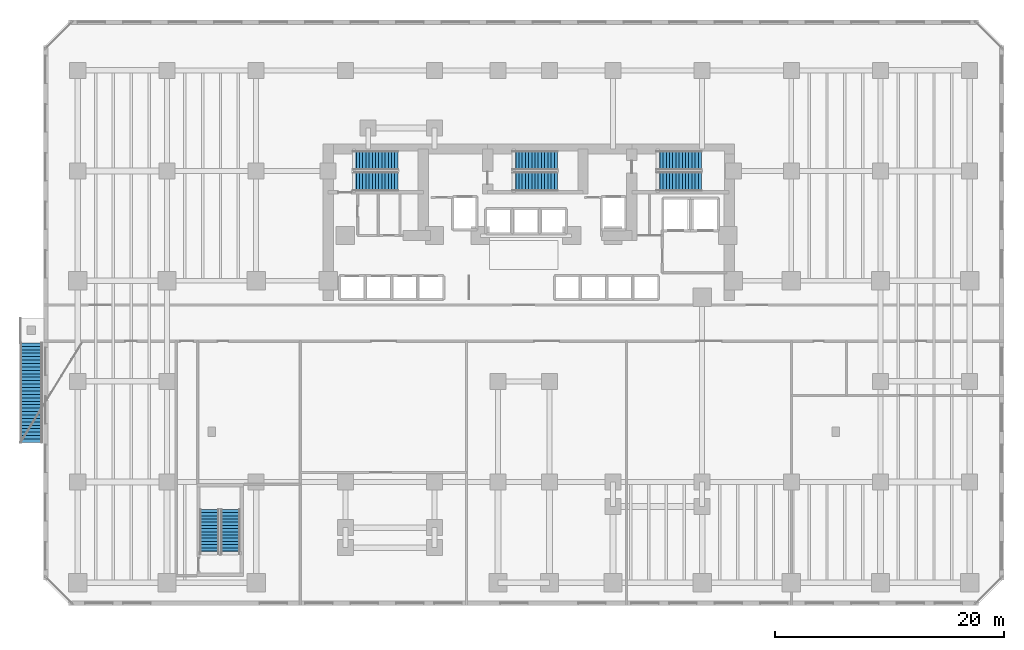
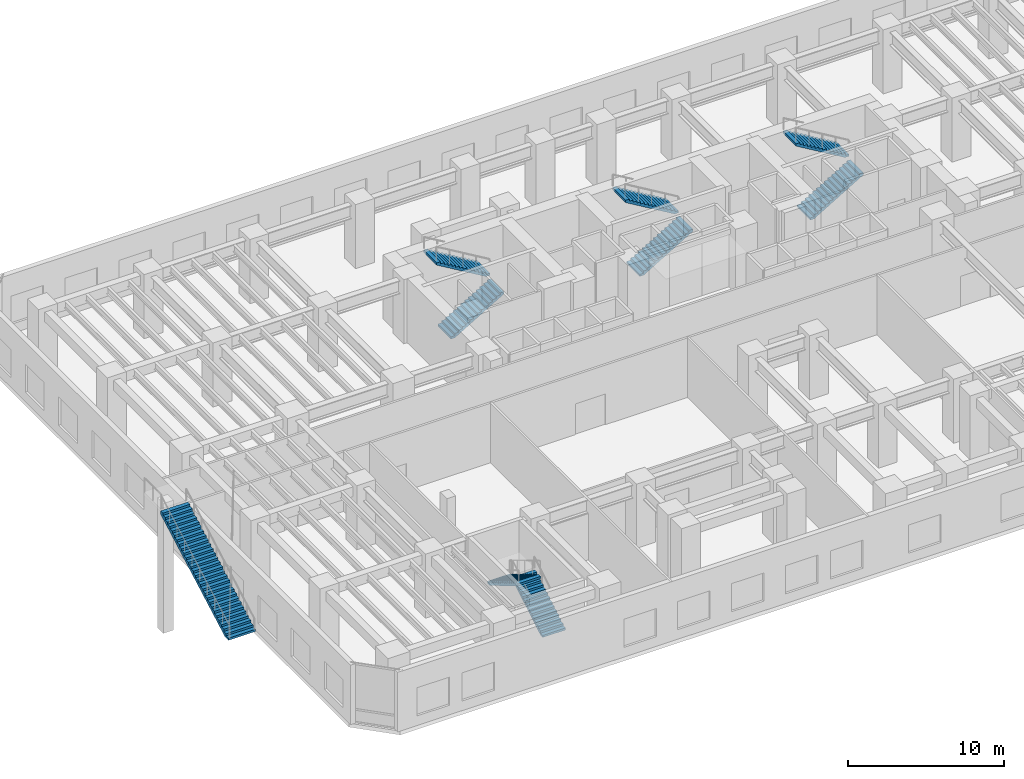
# One storey, part 17 of 19: 9 stair flights, 5 elements without a shape of their own.
"""IFC4 building model written with IfcOpenShell, lengths in metres."""

from ifc_helpers import new_model, si_unit, direction, frame, origin, place, context, subcontext, project, spatial, polyline, outline, extrude, material, type_object, element, aggregate, save


model = new_model("IFC4")

# Units and contexts
model_context = context("Model", 3, precision=1e-05, world=origin(), true_north=direction((0.0, 1.0)))
body_context = subcontext(model_context, "Body", "Model", "MODEL_VIEW")
ifc_project = project(units=[si_unit("LENGTHUNIT", "METRE"), si_unit("AREAUNIT", "SQUARE_METRE"), si_unit("VOLUMEUNIT", "CUBIC_METRE"), si_unit("PLANEANGLEUNIT", "RADIAN"), si_unit("MASSUNIT", "GRAM", prefix="KILO")], contexts=[model_context])

# Site, building, storey
site_placement = place(None, origin())
site = spatial("IfcSite", under=ifc_project, at=site_placement, CompositionType="ELEMENT")
building_placement = place(site_placement, origin())
building = spatial("IfcBuilding", under=site, at=building_placement, Name="Kestravale Grand Hotel", CompositionType="ELEMENT")
storey_placement = place(building_placement, frame((0.0, 0.0, 5.39990234375)))
storey = spatial("IfcBuildingStorey", under=building, at=storey_placement, Name="L01", CompositionType="ELEMENT", Elevation=5.39990234375)

# Stair, stair flights
ifc_material_1 = material(Name="Concrete f'c 45 MPa", Category="concrete")
stair_type_1 = type_object("IfcStairType", Name="ST-CORE-500", PredefinedType="HALF_TURN_STAIR", material=ifc_material_1)
stair_1_placement = place(storey_placement, origin())
stair_1 = element("IfcStair", 1, at=stair_1_placement, inside=storey, type_object=stair_type_1, Name="L01 ST-1", PredefinedType="HALF_TURN_STAIR")
ifc_material_2 = material(Name="Concrete f'c 45 MPa", Category="concrete")
stair_flight_type_1 = type_object("IfcStairFlightType", Name="STF-CORE-500", PredefinedType="STRAIGHT", material=ifc_material_2)
stair_flight_1_placement = place(storey_placement, frame((24.080078125, 37.489990234375, 0.0), z_axis=(0.0, 0.0, 1.0), x_axis=(1.0, 0.0, 0.0)))
stair_flight_1 = element("IfcStairFlight", 2, at=stair_flight_1_placement, type_object=stair_flight_type_1, Name="ST-1 flight 1", NumberOfRisers=15, NumberOfTreads=14, PredefinedType="STRAIGHT", RiserHeight=0.166666667, TreadLength=0.28, context=body_context, shape_type="SweptSolid", body=[
    extrude(outline(polyline([(0.0, 0.0), (0.0, 0.166748046875), (0.280029296875, 0.166748046875), (0.280029296875, 0.333251953125), (0.56005859375, 0.333251953125), (0.56005859375, 0.5), (0.840087890625, 0.5), (0.840087890625, 0.666748046875), (1.1201171875, 0.666748046875), (1.1201171875, 0.833251953125), (1.39990234375, 0.833251953125), (1.39990234375, 1.0), (1.679931640625, 1.0), (1.679931640625, 1.166748046875), (1.9599609375, 1.166748046875), (1.9599609375, 1.333251953125), (2.239990234375, 1.333251953125), (2.239990234375, 1.5), (2.52001953125, 1.5), (2.52001953125, 1.666748046875), (2.800048828125, 1.666748046875), (2.800048828125, 1.833251953125), (3.080078125, 1.833251953125), (3.080078125, 2.0), (3.360107421875, 2.0), (3.360107421875, 2.166748046875), (3.639892578125, 2.166748046875), (3.639892578125, 2.333251953125), (3.919921875, 2.333251953125), (3.919921875, 2.5), (3.919921875, 2.158935546875), (0.29296875, 0.0), (0.0, 0.0)])), frame((0.0, 0.83984375, 0.0), z_axis=(0.0, -1.0, 0.0), x_axis=(1.0, 0.0, 0.0)), (0.0, 0.0, 1.0), 1.679931640625),
])
stair_flight_2_placement = place(storey_placement, frame((28.0, 39.320068359375, 2.5), z_axis=(0.0, 0.0, 1.0), x_axis=(-1.0, 0.0, 0.0)))
stair_flight_2 = element("IfcStairFlight", 3, at=stair_flight_2_placement, type_object=stair_flight_type_1, Name="ST-1 flight 2", NumberOfRisers=15, NumberOfTreads=14, PredefinedType="STRAIGHT", RiserHeight=0.166666667, TreadLength=0.28, context=body_context, shape_type="SweptSolid", body=[
    extrude(outline(polyline([(0.0, 0.0), (0.0, 0.166748046875), (0.280029296875, 0.166748046875), (0.280029296875, 0.333251953125), (0.56005859375, 0.333251953125), (0.56005859375, 0.5), (0.840087890625, 0.5), (0.840087890625, 0.666748046875), (1.1201171875, 0.666748046875), (1.1201171875, 0.833251953125), (1.39990234375, 0.833251953125), (1.39990234375, 1.0), (1.679931640625, 1.0), (1.679931640625, 1.166748046875), (1.9599609375, 1.166748046875), (1.9599609375, 1.333251953125), (2.239990234375, 1.333251953125), (2.239990234375, 1.5), (2.52001953125, 1.5), (2.52001953125, 1.666748046875), (2.800048828125, 1.666748046875), (2.800048828125, 1.833251953125), (3.080078125, 1.833251953125), (3.080078125, 2.0), (3.360107421875, 2.0), (3.360107421875, 2.166748046875), (3.639892578125, 2.166748046875), (3.639892578125, 2.333251953125), (3.919921875, 2.333251953125), (3.919921875, 2.5), (3.919921875, 2.158935546875), (0.29296875, 0.0), (0.0, 0.0)])), frame((0.0, 0.83984375, 0.0), z_axis=(0.0, -1.0, 0.0), x_axis=(1.0, 0.0, 0.0)), (0.0, 0.0, 1.0), 1.679931640625),
])
aggregate(stair_1, [stair_flight_1, stair_flight_2])

stair_2_placement = place(storey_placement, origin())
stair_2 = element("IfcStair", 4, at=stair_2_placement, inside=storey, type_object=stair_type_1, Name="L01 ST-2", PredefinedType="HALF_TURN_STAIR")
stair_flight_3_placement = place(storey_placement, frame((38.030029296875, 37.489990234375, 0.0), z_axis=(0.0, 0.0, 1.0), x_axis=(1.0, 0.0, 0.0)))
stair_flight_3 = element("IfcStairFlight", 5, at=stair_flight_3_placement, type_object=stair_flight_type_1, Name="ST-2 flight 1", NumberOfRisers=15, NumberOfTreads=14, PredefinedType="STRAIGHT", RiserHeight=0.166666667, TreadLength=0.28, context=body_context, shape_type="SweptSolid", body=[
    extrude(outline(polyline([(0.0, 0.0), (0.0, 0.166748046875), (0.280029296875, 0.166748046875), (0.280029296875, 0.333251953125), (0.56005859375, 0.333251953125), (0.56005859375, 0.5), (0.840087890625, 0.5), (0.840087890625, 0.666748046875), (1.1201171875, 0.666748046875), (1.1201171875, 0.833251953125), (1.39990234375, 0.833251953125), (1.39990234375, 1.0), (1.679931640625, 1.0), (1.679931640625, 1.166748046875), (1.9599609375, 1.166748046875), (1.9599609375, 1.333251953125), (2.239990234375, 1.333251953125), (2.239990234375, 1.5), (2.52001953125, 1.5), (2.52001953125, 1.666748046875), (2.800048828125, 1.666748046875), (2.800048828125, 1.833251953125), (3.080078125, 1.833251953125), (3.080078125, 2.0), (3.360107421875, 2.0), (3.360107421875, 2.166748046875), (3.639892578125, 2.166748046875), (3.639892578125, 2.333251953125), (3.919921875, 2.333251953125), (3.919921875, 2.5), (3.919921875, 2.158935546875), (0.29296875, 0.0), (0.0, 0.0)])), frame((0.0, 0.83984375, 0.0), z_axis=(0.0, -1.0, 0.0), x_axis=(1.0, 0.0, 0.0)), (0.0, 0.0, 1.0), 1.679931640625),
])
stair_flight_4_placement = place(storey_placement, frame((41.949951171875, 39.320068359375, 2.5), z_axis=(0.0, 0.0, 1.0), x_axis=(-1.0, 0.0, 0.0)))
stair_flight_4 = element("IfcStairFlight", 6, at=stair_flight_4_placement, type_object=stair_flight_type_1, Name="ST-2 flight 2", NumberOfRisers=15, NumberOfTreads=14, PredefinedType="STRAIGHT", RiserHeight=0.166666667, TreadLength=0.28, context=body_context, shape_type="SweptSolid", body=[
    extrude(outline(polyline([(0.0, 0.0), (0.0, 0.166748046875), (0.280029296875, 0.166748046875), (0.280029296875, 0.333251953125), (0.56005859375, 0.333251953125), (0.56005859375, 0.5), (0.840087890625, 0.5), (0.840087890625, 0.666748046875), (1.1201171875, 0.666748046875), (1.1201171875, 0.833251953125), (1.39990234375, 0.833251953125), (1.39990234375, 1.0), (1.679931640625, 1.0), (1.679931640625, 1.166748046875), (1.9599609375, 1.166748046875), (1.9599609375, 1.333251953125), (2.239990234375, 1.333251953125), (2.239990234375, 1.5), (2.52001953125, 1.5), (2.52001953125, 1.666748046875), (2.800048828125, 1.666748046875), (2.800048828125, 1.833251953125), (3.080078125, 1.833251953125), (3.080078125, 2.0), (3.360107421875, 2.0), (3.360107421875, 2.166748046875), (3.639892578125, 2.166748046875), (3.639892578125, 2.333251953125), (3.919921875, 2.333251953125), (3.919921875, 2.5), (3.919921875, 2.158935546875), (0.29296875, 0.0), (0.0, 0.0)])), frame((0.0, 0.83984375, 0.0), z_axis=(0.0, -1.0, 0.0), x_axis=(1.0, 0.0, 0.0)), (0.0, 0.0, 1.0), 1.679931640625),
])
aggregate(stair_2, [stair_flight_3, stair_flight_4])

stair_3_placement = place(storey_placement, origin())
stair_3 = element("IfcStair", 7, at=stair_3_placement, inside=storey, type_object=stair_type_1, Name="L01 ST-3", PredefinedType="HALF_TURN_STAIR")
stair_flight_5_placement = place(storey_placement, frame((50.6298828125, 37.489990234375, 0.0), z_axis=(0.0, 0.0, 1.0), x_axis=(1.0, 0.0, 0.0)))
stair_flight_5 = element("IfcStairFlight", 8, at=stair_flight_5_placement, type_object=stair_flight_type_1, Name="ST-3 flight 1", NumberOfRisers=15, NumberOfTreads=14, PredefinedType="STRAIGHT", RiserHeight=0.166666667, TreadLength=0.28, context=body_context, shape_type="SweptSolid", body=[
    extrude(outline(polyline([(0.0, 0.0), (0.0, 0.166748046875), (0.280029296875, 0.166748046875), (0.280029296875, 0.333251953125), (0.56005859375, 0.333251953125), (0.56005859375, 0.5), (0.840087890625, 0.5), (0.840087890625, 0.666748046875), (1.1201171875, 0.666748046875), (1.1201171875, 0.833251953125), (1.39990234375, 0.833251953125), (1.39990234375, 1.0), (1.679931640625, 1.0), (1.679931640625, 1.166748046875), (1.9599609375, 1.166748046875), (1.9599609375, 1.333251953125), (2.239990234375, 1.333251953125), (2.239990234375, 1.5), (2.52001953125, 1.5), (2.52001953125, 1.666748046875), (2.800048828125, 1.666748046875), (2.800048828125, 1.833251953125), (3.080078125, 1.833251953125), (3.080078125, 2.0), (3.360107421875, 2.0), (3.360107421875, 2.166748046875), (3.639892578125, 2.166748046875), (3.639892578125, 2.333251953125), (3.919921875, 2.333251953125), (3.919921875, 2.5), (3.919921875, 2.158935546875), (0.29296875, 0.0), (0.0, 0.0)])), frame((0.0, 0.83984375, 0.0), z_axis=(0.0, -1.0, 0.0), x_axis=(1.0, 0.0, 0.0)), (0.0, 0.0, 1.0), 1.679931640625),
])
stair_flight_6_placement = place(storey_placement, frame((54.550048828125, 39.320068359375, 2.5), z_axis=(0.0, 0.0, 1.0), x_axis=(-1.0, 0.0, 0.0)))
stair_flight_6 = element("IfcStairFlight", 9, at=stair_flight_6_placement, type_object=stair_flight_type_1, Name="ST-3 flight 2", NumberOfRisers=15, NumberOfTreads=14, PredefinedType="STRAIGHT", RiserHeight=0.166666667, TreadLength=0.28, context=body_context, shape_type="SweptSolid", body=[
    extrude(outline(polyline([(0.0, 0.0), (0.0, 0.166748046875), (0.280029296875, 0.166748046875), (0.280029296875, 0.333251953125), (0.56005859375, 0.333251953125), (0.56005859375, 0.5), (0.840087890625, 0.5), (0.840087890625, 0.666748046875), (1.1201171875, 0.666748046875), (1.1201171875, 0.833251953125), (1.39990234375, 0.833251953125), (1.39990234375, 1.0), (1.679931640625, 1.0), (1.679931640625, 1.166748046875), (1.9599609375, 1.166748046875), (1.9599609375, 1.333251953125), (2.239990234375, 1.333251953125), (2.239990234375, 1.5), (2.52001953125, 1.5), (2.52001953125, 1.666748046875), (2.800048828125, 1.666748046875), (2.800048828125, 1.833251953125), (3.080078125, 1.833251953125), (3.080078125, 2.0), (3.360107421875, 2.0), (3.360107421875, 2.166748046875), (3.639892578125, 2.166748046875), (3.639892578125, 2.333251953125), (3.919921875, 2.333251953125), (3.919921875, 2.5), (3.919921875, 2.158935546875), (0.29296875, 0.0), (0.0, 0.0)])), frame((0.0, 0.83984375, 0.0), z_axis=(0.0, -1.0, 0.0), x_axis=(1.0, 0.0, 0.0)), (0.0, 0.0, 1.0), 1.679931640625),
])
aggregate(stair_3, [stair_flight_5, stair_flight_6])

stair_4_placement = place(storey_placement, origin())
stair_4 = element("IfcStair", 10, at=stair_4_placement, inside=storey, type_object=stair_type_1, Name="L01 ST-4", PredefinedType="HALF_TURN_STAIR")
stair_flight_7_placement = place(storey_placement, frame((13.360107421875, 4.8798828125, 0.0), z_axis=(0.0, 0.0, 1.0), x_axis=(0.0, 1.0, 0.0)))
stair_flight_7 = element("IfcStairFlight", 11, at=stair_flight_7_placement, type_object=stair_flight_type_1, Name="ST-4 flight 1", NumberOfRisers=15, NumberOfTreads=14, PredefinedType="STRAIGHT", RiserHeight=0.166666667, TreadLength=0.28, context=body_context, shape_type="SweptSolid", body=[
    extrude(outline(polyline([(0.0, 0.0), (0.0, 0.166748046875), (0.280029296875, 0.166748046875), (0.280029296875, 0.333251953125), (0.56005859375, 0.333251953125), (0.56005859375, 0.5), (0.840087890625, 0.5), (0.840087890625, 0.666748046875), (1.1201171875, 0.666748046875), (1.1201171875, 0.833251953125), (1.39990234375, 0.833251953125), (1.39990234375, 1.0), (1.679931640625, 1.0), (1.679931640625, 1.166748046875), (1.9599609375, 1.166748046875), (1.9599609375, 1.333251953125), (2.239990234375, 1.333251953125), (2.239990234375, 1.5), (2.52001953125, 1.5), (2.52001953125, 1.666748046875), (2.800048828125, 1.666748046875), (2.800048828125, 1.833251953125), (3.080078125, 1.833251953125), (3.080078125, 2.0), (3.360107421875, 2.0), (3.360107421875, 2.166748046875), (3.639892578125, 2.166748046875), (3.639892578125, 2.333251953125), (3.919921875, 2.333251953125), (3.919921875, 2.5), (3.919921875, 2.158935546875), (0.29296875, 0.0), (0.0, 0.0)])), frame((0.0, 0.83984375, 0.0), z_axis=(0.0, -1.0, 0.0), x_axis=(1.0, 0.0, 0.0)), (0.0, 0.0, 1.0), 1.679931640625),
])
stair_flight_8_placement = place(storey_placement, frame((11.530029296875, 8.800048828125, 2.5), z_axis=(0.0, 0.0, 1.0), x_axis=(0.0, -1.0, 0.0)))
stair_flight_8 = element("IfcStairFlight", 12, at=stair_flight_8_placement, type_object=stair_flight_type_1, Name="ST-4 flight 2", NumberOfRisers=15, NumberOfTreads=14, PredefinedType="STRAIGHT", RiserHeight=0.166666667, TreadLength=0.28, context=body_context, shape_type="SweptSolid", body=[
    extrude(outline(polyline([(0.0, 0.0), (0.0, 0.166748046875), (0.280029296875, 0.166748046875), (0.280029296875, 0.333251953125), (0.56005859375, 0.333251953125), (0.56005859375, 0.5), (0.840087890625, 0.5), (0.840087890625, 0.666748046875), (1.1201171875, 0.666748046875), (1.1201171875, 0.833251953125), (1.39990234375, 0.833251953125), (1.39990234375, 1.0), (1.679931640625, 1.0), (1.679931640625, 1.166748046875), (1.9599609375, 1.166748046875), (1.9599609375, 1.333251953125), (2.239990234375, 1.333251953125), (2.239990234375, 1.5), (2.52001953125, 1.5), (2.52001953125, 1.666748046875), (2.800048828125, 1.666748046875), (2.800048828125, 1.833251953125), (3.080078125, 1.833251953125), (3.080078125, 2.0), (3.360107421875, 2.0), (3.360107421875, 2.166748046875), (3.639892578125, 2.166748046875), (3.639892578125, 2.333251953125), (3.919921875, 2.333251953125), (3.919921875, 2.5), (3.919921875, 2.158935546875), (0.29296875, 0.0), (0.0, 0.0)])), frame((0.0, 0.83984375, 0.0), z_axis=(0.0, -1.0, 0.0), x_axis=(1.0, 0.0, 0.0)), (0.0, 0.0, 1.0), 1.679931640625),
])
aggregate(stair_4, [stair_flight_7, stair_flight_8])

# Stair, stair flight
ifc_material_3 = material(Name="Concrete f'c 45 MPa", Category="concrete")
stair_type_2 = type_object("IfcStairType", Name="ST-EXT-GDN", PredefinedType="STRAIGHT_RUN_STAIR", material=ifc_material_3)
stair_5_placement = place(storey_placement, origin())
stair_5 = element("IfcStair", 13, at=stair_5_placement, inside=storey, type_object=stair_type_2, Name="L01 cascading public garden stair 2", PredefinedType="STRAIGHT_RUN_STAIR")
ifc_material_4 = material(Name="Concrete f'c 45 MPa", Category="concrete")
stair_flight_type_2 = type_object("IfcStairFlightType", Name="STF-EXT-GDN", PredefinedType="STRAIGHT", material=ifc_material_4)
stair_flight_9_placement = place(storey_placement, frame((-4.050048828125, 14.659912109375, 0.0), z_axis=(0.0, 0.0, 1.0), x_axis=(0.0, 1.0, 0.0)))
stair_flight_9 = element("IfcStairFlight", 14, at=stair_flight_9_placement, type_object=stair_flight_type_2, Name="ST-G2 flight 1", NumberOfRisers=30, NumberOfTreads=29, PredefinedType="STRAIGHT", RiserHeight=0.166666667, TreadLength=0.3, context=body_context, shape_type="SweptSolid", body=[
    extrude(outline(polyline([(0.0, 0.0), (0.0, 0.166748046875), (0.300048828125, 0.166748046875), (0.300048828125, 0.333251953125), (0.60009765625, 0.333251953125), (0.60009765625, 0.5), (0.89990234375, 0.5), (0.89990234375, 0.666748046875), (1.199951171875, 0.666748046875), (1.199951171875, 0.833251953125), (1.5, 0.833251953125), (1.5, 1.0), (1.800048828125, 1.0), (1.800048828125, 1.166748046875), (2.10009765625, 1.166748046875), (2.10009765625, 1.333251953125), (2.39990234375, 1.333251953125), (2.39990234375, 1.5), (2.699951171875, 1.5), (2.699951171875, 1.666748046875), (3.0, 1.666748046875), (3.0, 1.833251953125), (3.300048828125, 1.833251953125), (3.300048828125, 2.0), (3.60009765625, 2.0), (3.60009765625, 2.166748046875), (3.89990234375, 2.166748046875), (3.89990234375, 2.333251953125), (4.199951171875, 2.333251953125), (4.199951171875, 2.5), (4.5, 2.5), (4.5, 2.666748046875), (4.800048828125, 2.666748046875), (4.800048828125, 2.833251953125), (5.10009765625, 2.833251953125), (5.10009765625, 3.0), (5.39990234375, 3.0), (5.39990234375, 3.166748046875), (5.699951171875, 3.166748046875), (5.699951171875, 3.333251953125), (6.0, 3.333251953125), (6.0, 3.5), (6.300048828125, 3.5), (6.300048828125, 3.666748046875), (6.60009765625, 3.666748046875), (6.60009765625, 3.833251953125), (6.89990234375, 3.833251953125), (6.89990234375, 4.0), (7.199951171875, 4.0), (7.199951171875, 4.166748046875), (7.5, 4.166748046875), (7.5, 4.333251953125), (7.800048828125, 4.333251953125), (7.800048828125, 4.5), (8.10009765625, 4.5), (8.10009765625, 4.666748046875), (8.39990234375, 4.666748046875), (8.39990234375, 4.833251953125), (8.699951171875, 4.833251953125), (8.699951171875, 5.0), (8.699951171875, 4.581787109375), (0.452880859375, 0.0), (0.0, 0.0)])), frame((0.0, 1.0, 0.0), z_axis=(0.0, -1.0, 0.0), x_axis=(1.0, 0.0, 0.0)), (0.0, 0.0, 1.0), 2.0),
])
aggregate(stair_5, [stair_flight_9])

save(model, "model.ifc")
